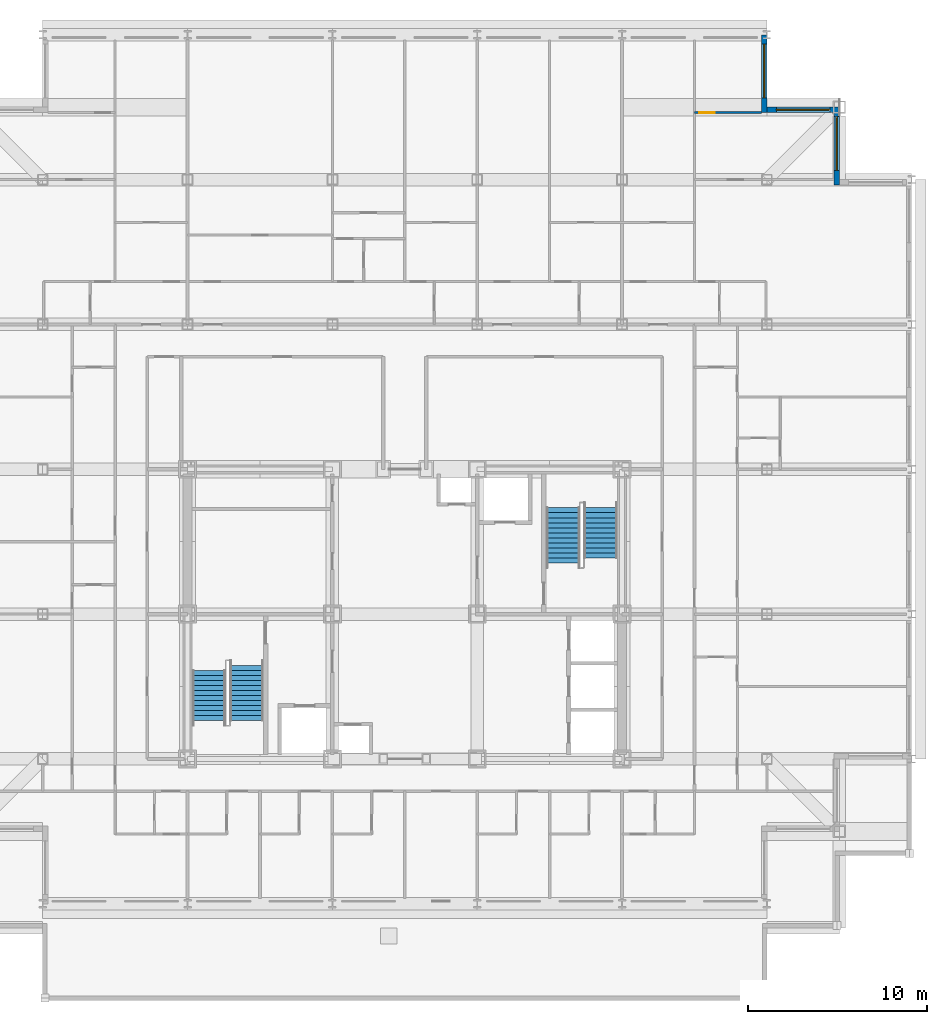
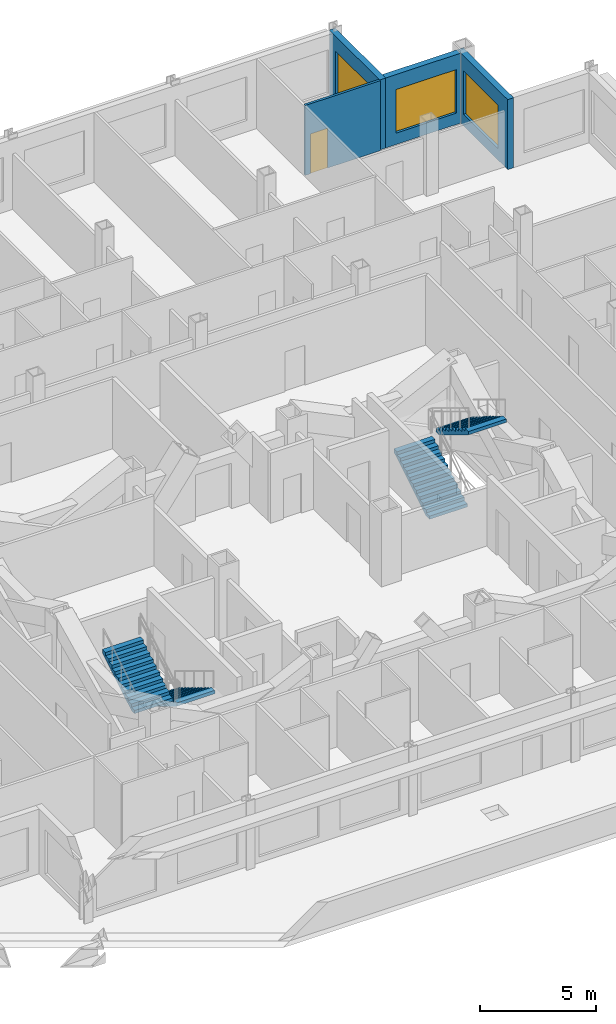
# One storey, part 14 of 15: 4 stair flights, 4 walls, 3 windows, 1 door, 4 openings, 2 elements without a shape of their own.
"""IFC4 building model written with IfcOpenShell, lengths in metres."""

from ifc_helpers import new_model, si_unit, direction, frame, frame_2d, origin, place, context, subcontext, project, spatial, rectangle, extrude, polygons, source, transform, mapped, material, layer, layer_set, type_object, element, fill, aggregate, save


model = new_model("IFC4")

# Units and contexts
model_context = context("Model", 3, precision=1e-05, world=origin(), true_north=direction((0.0, 1.0)))
body_context = subcontext(model_context, "Body", "Model", "MODEL_VIEW")
ifc_project = project(units=[si_unit("LENGTHUNIT", "METRE"), si_unit("AREAUNIT", "SQUARE_METRE"), si_unit("VOLUMEUNIT", "CUBIC_METRE"), si_unit("PLANEANGLEUNIT", "RADIAN"), si_unit("MASSUNIT", "GRAM", prefix="KILO")], contexts=[model_context])

# Site, building, storey
site_placement = place(None, origin())
site = spatial("IfcSite", under=ifc_project, at=site_placement, CompositionType="ELEMENT")
building_placement = place(site_placement, origin())
building = spatial("IfcBuilding", under=site, at=building_placement, Name="Kopane Lantern Tower", CompositionType="ELEMENT")
storey_placement = place(building_placement, frame((0.0, 0.0, 242.39990234375)))
storey = spatial("IfcBuildingStorey", under=building, at=storey_placement, Name="L62", CompositionType="ELEMENT", Elevation=242.39990234375)

# Wall, opening, door
ifc_material_1 = material(Name="Gypsum board on steel studs", Category="steel")
ifc_layer_1 = layer(ifc_material_1, 0.1201171875)
ifc_layer_set_1 = layer_set([ifc_layer_1], Name="APARTMENT INTERNAL WALL 120")
wall_type_1 = type_object("IfcWallType", Name="APARTMENT INTERNAL WALL 120", PredefinedType="PARTITIONING", material=ifc_layer_set_1)
wall_1_placement = place(storey_placement, frame((48.31005859375, 60.449951171875, 0.0), z_axis=(0.0, 0.0, 1.0), x_axis=(-1.0, 0.0, 0.0)))
wall_1 = element("IfcWall", 1, at=wall_1_placement, inside=storey, type_object=wall_type_1, Name="Apartment Internal Wall 120 L62", PredefinedType="PARTITIONING", context=body_context, shape_type="SweptSolid", body=[
    extrude(rectangle(XDim=3.760009765625, YDim=0.1201171875, at=frame_2d((1.8798828125, 0.0))), origin(), (0.0, 0.0, 1.0), 3.690185546875),
])
opening_1_placement = place(wall_1_placement, frame((2.635009765625, 0.0, 0.0)))
opening_1 = element("IfcOpeningElement", 2, at=opening_1_placement, cuts=wall_1, Name="Opening L62-065", PredefinedType="OPENING", context=body_context, shape_type="SweptSolid", body=[
    extrude(rectangle(XDim=0.85009765625, YDim=2.10009765625, at=frame_2d((0.425048828125, 1.050048828125))), frame((0.0, 0.070068359375, 0.0), z_axis=(0.0, -1.0, 0.0), x_axis=(1.0, 0.0, 0.0)), (0.0, 0.0, 1.0), 0.14013671875),
])
ifc_material_2 = material(Name="Timber door set", Category="wood")
door_type = type_object("IfcDoorType", Name="DOOR D4 850x2100", OperationType="SINGLE_SWING_LEFT", PredefinedType="DOOR", material=ifc_material_2)
door_placement = place(opening_1_placement, origin())
door = element("IfcDoor", 3, at=door_placement, inside=storey, type_object=door_type, Name="Door L62-065", OperationType="SINGLE_SWING_RIGHT", OverallHeight=2.10009765625, OverallWidth=0.85009765625, PredefinedType="DOOR", context=body_context, shape_type="SweptSolid", body=[
    extrude(rectangle(XDim=0.85009765625, YDim=2.10009765625, at=frame_2d((0.425048828125, 1.050048828125))), frame((0.0, 0.02490234375, 0.0), z_axis=(0.0, -1.0, 0.0), x_axis=(1.0, 0.0, 0.0)), (0.0, 0.0, 1.0), 0.050048828125),
])
fill(opening_1, door)

# Wall, opening, window
ifc_material_3 = material(Name="Terracotta rainscreen on light steel framing", Category="masonry")
ifc_layer_2 = layer(ifc_material_3, 0.300048828125)
ifc_layer_set_2 = layer_set([ifc_layer_2], Name="EXTERNAL WALL EW1 300 TERRACOTTA")
wall_type_2 = type_object("IfcWallType", Name="EXTERNAL WALL EW1 300 TERRACOTTA", PredefinedType="SOLIDWALL", material=ifc_layer_set_2)
wall_2_placement = place(storey_placement, frame((52.5, 56.39990234375, 0.0), z_axis=(0.0, 0.0, 1.0), x_axis=(0.0, 1.0, 0.0)))
wall_2 = element("IfcWall", 4, at=wall_2_placement, inside=storey, type_object=wall_type_2, Name="External wall E L62", PredefinedType="SOLIDWALL", context=body_context, shape_type="SweptSolid", body=[
    extrude(rectangle(XDim=4.35009765625, YDim=0.300048828125, at=frame_2d((2.175048828125, 0.0))), origin(), (0.0, 0.0, 1.0), 3.690185546875),
])
opening_2_placement = place(wall_2_placement, frame((0.824951171875, 0.0, 0.60009765625)))
opening_2 = element("IfcOpeningElement", 5, at=opening_2_placement, cuts=wall_2, Name="Opening WR300230", PredefinedType="OPENING", context=body_context, shape_type="SweptSolid", body=[
    extrude(rectangle(XDim=3.0, YDim=2.300048828125, at=frame_2d((1.5, 1.14990234375))), frame((0.0, 0.159912109375, 0.0), z_axis=(0.0, -1.0, 0.0), x_axis=(1.0, 0.0, 0.0)), (0.0, 0.0, 1.0), 0.320068359375),
])
ifc_material_4 = material(Name="Aluminium and clear glass", Category="aluminium")
window_type = type_object("IfcWindowType", Name="RIBBON WINDOW WR300230 3000x2300", PartitioningType="SINGLE_PANEL", PredefinedType="WINDOW", material=ifc_material_4)
window_1_placement = place(opening_2_placement, origin())
window_1 = element("IfcWindow", 6, at=window_1_placement, inside=storey, type_object=window_type, Name="Window E L62", OverallHeight=2.300048828125, OverallWidth=3.0, PartitioningType="SINGLE_PANEL", PredefinedType="WINDOW", context=body_context, shape_type="SweptSolid", body=[
    extrude(rectangle(XDim=3.0, YDim=2.300048828125, at=frame_2d((1.5, 1.14990234375))), frame((0.0, 0.030029296875, 0.0), z_axis=(0.0, -1.0, 0.0), x_axis=(1.0, 0.0, 0.0)), (0.0, 0.0, 1.0), 0.06005859375),
])
fill(opening_2, window_1)

wall_3_placement = place(storey_placement, frame((52.35009765625, 60.60009765625, 0.0), z_axis=(0.0, 0.0, 1.0), x_axis=(-1.0, 0.0, 0.0)))
wall_3 = element("IfcWall", 7, at=wall_3_placement, inside=storey, type_object=wall_type_2, Name="External wall N L62", PredefinedType="SOLIDWALL", context=body_context, shape_type="SweptSolid", body=[
    extrude(rectangle(XDim=3.75, YDim=0.300048828125, at=frame_2d((1.875, 0.0))), origin(), (0.0, 0.0, 1.0), 3.690185546875),
])
opening_3_placement = place(wall_3_placement, frame((0.22509765625, 0.0, 0.60009765625)))
opening_3 = element("IfcOpeningElement", 8, at=opening_3_placement, cuts=wall_3, Name="Opening WR300230", PredefinedType="OPENING", context=body_context, shape_type="SweptSolid", body=[
    extrude(rectangle(XDim=3.0, YDim=2.300048828125, at=frame_2d((1.5, 1.14990234375))), frame((0.0, 0.159912109375, 0.0), z_axis=(0.0, -1.0, 0.0), x_axis=(1.0, 0.0, 0.0)), (0.0, 0.0, 1.0), 0.320068359375),
])
window_2_placement = place(opening_3_placement, origin())
window_2 = element("IfcWindow", 9, at=window_2_placement, inside=storey, type_object=window_type, Name="Window N L62", OverallHeight=2.300048828125, OverallWidth=3.0, PartitioningType="SINGLE_PANEL", PredefinedType="WINDOW", context=body_context, shape_type="SweptSolid", body=[
    extrude(rectangle(XDim=3.0, YDim=2.300048828125, at=frame_2d((1.5, 1.14990234375))), frame((0.0, 0.030029296875, 0.0), z_axis=(0.0, -1.0, 0.0), x_axis=(1.0, 0.0, 0.0)), (0.0, 0.0, 1.0), 0.06005859375),
])
fill(opening_3, window_2)

wall_4_placement = place(storey_placement, frame((48.449951171875, 60.449951171875, 0.0), z_axis=(0.0, 0.0, 1.0), x_axis=(0.0, 1.0, 0.0)))
wall_4 = element("IfcWall", 10, at=wall_4_placement, inside=storey, type_object=wall_type_2, Name="External wall E L62", PredefinedType="SOLIDWALL", context=body_context, shape_type="SweptSolid", body=[
    extrude(rectangle(XDim=4.35009765625, YDim=0.300048828125, at=frame_2d((2.175048828125, 0.0))), origin(), (0.0, 0.0, 1.0), 3.690185546875),
])
opening_4_placement = place(wall_4_placement, frame((0.824951171875, 0.0, 0.60009765625)))
opening_4 = element("IfcOpeningElement", 11, at=opening_4_placement, cuts=wall_4, Name="Opening WR300230", PredefinedType="OPENING", context=body_context, shape_type="SweptSolid", body=[
    extrude(rectangle(XDim=3.0, YDim=2.300048828125, at=frame_2d((1.5, 1.14990234375))), frame((0.0, 0.159912109375, 0.0), z_axis=(0.0, -1.0, 0.0), x_axis=(1.0, 0.0, 0.0)), (0.0, 0.0, 1.0), 0.320068359375),
])
window_3_placement = place(opening_4_placement, origin())
window_3 = element("IfcWindow", 12, at=window_3_placement, inside=storey, type_object=window_type, Name="Window E L62", OverallHeight=2.300048828125, OverallWidth=3.0, PartitioningType="SINGLE_PANEL", PredefinedType="WINDOW", context=body_context, shape_type="SweptSolid", body=[
    extrude(rectangle(XDim=3.0, YDim=2.300048828125, at=frame_2d((1.5, 1.14990234375))), frame((0.0, 0.030029296875, 0.0), z_axis=(0.0, -1.0, 0.0), x_axis=(1.0, 0.0, 0.0)), (0.0, 0.0, 1.0), 0.06005859375),
])
fill(opening_4, window_3)

# Stair, stair flight
ifc_material_5 = material(Name="Steel S355JR", Category="steel")
stair_type = type_object("IfcStairType", Name="EXIT STAIR 1900 HALF TURN", PredefinedType="HALF_TURN_STAIR", material=ifc_material_5)
stair_1_placement = place(storey_placement, origin())
stair_1 = element("IfcStair", 13, at=stair_1_placement, inside=storey, type_object=stair_type, Name="Exit stair ST1 L62", PredefinedType="HALF_TURN_STAIR")
ifc_material_6 = material(Name="Steel S355JR", Category="steel")
stair_flight_type = type_object("IfcStairFlightType", Name="STAIR FLIGHT 1900 STEEL", PredefinedType="STRAIGHT", material=ifc_material_6)
shared_shape_1 = source(origin(), body_context, "Body", "Tessellation", [
    polygons([(3.080078125, 0.949951172, 1.865234375), (2.800048828, 0.949951172, 1.865234375), (2.800048828, -0.949951172, 1.865234375), (3.080078125, -0.949951172, 1.865234375), (0.289306641, 0.949951172, 0.0), (3.080078125, 0.949951172, 1.689941406), (3.080078125, -0.949951172, 1.689941406), (0.289306641, -0.949951172, 0.0), (0.0, 0.949951172, 0.0), (0.0, -0.949951172, 0.0), (0.280029297, 0.949951172, 0.169677734), (0.0, 0.949951172, 0.169677734), (0.0, -0.949951172, 0.169677734), (0.280029297, -0.949951172, 0.169677734), (0.280029297, 0.949951172, 0.339111328), (0.280029297, -0.949951172, 0.339111328), (0.560058594, 0.949951172, 0.339111328), (0.560058594, -0.949951172, 0.339111328), (0.560058594, 0.949951172, 0.508789062), (0.560058594, -0.949951172, 0.508789062), (0.840087891, 0.949951172, 0.508789062), (0.840087891, -0.949951172, 0.508789062), (0.840087891, 0.949951172, 0.678222656), (0.840087891, -0.949951172, 0.678222656), (1.120117188, 0.949951172, 0.678222656), (1.120117188, -0.949951172, 0.678222656), (1.120117188, 0.949951172, 0.847900391), (1.120117188, -0.949951172, 0.847900391), (1.399902344, 0.949951172, 0.847900391), (1.399902344, -0.949951172, 0.847900391), (1.399902344, 0.949951172, 1.017333984), (1.399902344, -0.949951172, 1.017333984), (1.679931641, 0.949951172, 1.017333984), (1.679931641, -0.949951172, 1.017333984), (1.679931641, 0.949951172, 1.187011719), (1.679931641, -0.949951172, 1.187011719), (1.959960938, 0.949951172, 1.187011719), (1.959960938, -0.949951172, 1.187011719), (1.959960938, 0.949951172, 1.356445312), (1.959960938, -0.949951172, 1.356445312), (2.239990234, 0.949951172, 1.356445312), (2.239990234, -0.949951172, 1.356445312), (2.239990234, 0.949951172, 1.526123047), (2.239990234, -0.949951172, 1.526123047), (2.520019531, 0.949951172, 1.526123047), (2.520019531, -0.949951172, 1.526123047), (2.520019531, 0.949951172, 1.695556641), (2.520019531, -0.949951172, 1.695556641), (2.800048828, 0.949951172, 1.695556641), (2.800048828, -0.949951172, 1.695556641), (0.0, 0.0, 0.004585885), (0.0, 0.0, 0.009171769), (0.0, 0.0, 0.013757654), (0.0, 0.0, 0.018343539), (0.0, 0.0, 0.022929424), (0.0, 0.0, 0.027515308), (0.0, 0.0, 0.032101193), (0.0, 0.0, 0.036687078), (0.0, 0.0, 0.041272962), (0.0, 0.0, 0.045858847), (0.0, 0.0, 0.050444732), (0.0, 0.0, 0.055030617), (0.0, 0.0, 0.059616501), (0.0, 0.0, 0.064202386), (0.0, 0.0, 0.068788271), (0.0, 0.0, 0.073374155), (0.0, 0.0, 0.07796004), (0.0, 0.0, 0.082545925), (0.0, 0.0, 0.08713181), (0.0, 0.0, 0.091717694), (0.0, 0.0, 0.096303579), (0.0, 0.0, 0.100889464), (0.0, 0.0, 0.105475348), (0.0, 0.0, 0.110061233), (0.0, 0.0, 0.114647118), (0.0, 0.0, 0.119233003), (0.0, 0.0, 0.123818887), (0.0, 0.0, 0.128404772), (0.0, 0.0, 0.132990657), (0.0, 0.0, 0.137576541), (0.0, 0.0, 0.142162426), (0.0, 0.0, 0.146748311), (0.0, 0.0, 0.151334196), (0.0, 0.0, 0.15592008), (0.0, 0.0, 0.160505965), (0.0, 0.0, 0.16509185), (3.080078125, 0.0, 1.694679054), (3.080078125, 0.0, 1.699416702), (3.080078125, 0.0, 1.70415435), (3.080078125, 0.0, 1.708891997), (3.080078125, 0.0, 1.713629645), (3.080078125, 0.0, 1.718367293), (3.080078125, 0.0, 1.723104941), (3.080078125, 0.0, 1.727842589), (3.080078125, 0.0, 1.732580236), (3.080078125, 0.0, 1.737317884), (3.080078125, 0.0, 1.742055532), (3.080078125, 0.0, 1.74679318), (3.080078125, 0.0, 1.751530828), (3.080078125, 0.0, 1.756268476), (3.080078125, 0.0, 1.761006123), (3.080078125, 0.0, 1.765743771), (3.080078125, 0.0, 1.770481419), (3.080078125, 0.0, 1.775219067), (3.080078125, 0.0, 1.779956715), (3.080078125, 0.0, 1.784694362), (3.080078125, 0.0, 1.78943201), (3.080078125, 0.0, 1.794169658), (3.080078125, 0.0, 1.798907306), (3.080078125, 0.0, 1.803644954), (3.080078125, 0.0, 1.808382601), (3.080078125, 0.0, 1.813120249), (3.080078125, 0.0, 1.817857897), (3.080078125, 0.0, 1.822595545), (3.080078125, 0.0, 1.827333193), (3.080078125, 0.0, 1.83207084), (3.080078125, 0.0, 1.836808488), (3.080078125, 0.0, 1.841546136), (3.080078125, 0.0, 1.846283784), (3.080078125, 0.0, 1.851021432), (3.080078125, 0.0, 1.855759079), (3.080078125, 0.0, 1.860496727)], [[[1, 2, 3]], [[1, 3, 4]], [[5, 6, 7]], [[5, 7, 8]], [[9, 5, 8]], [[9, 8, 10]], [[11, 12, 13]], [[11, 13, 14]], [[15, 11, 14]], [[15, 14, 16]], [[17, 15, 16]], [[17, 16, 18]], [[19, 17, 18]], [[19, 18, 20]], [[21, 19, 20]], [[21, 20, 22]], [[23, 21, 22]], [[23, 22, 24]], [[25, 23, 24]], [[25, 24, 26]], [[27, 25, 26]], [[27, 26, 28]], [[29, 27, 28]], [[29, 28, 30]], [[31, 29, 30]], [[31, 30, 32]], [[33, 31, 32]], [[33, 32, 34]], [[35, 33, 34]], [[35, 34, 36]], [[37, 35, 36]], [[37, 36, 38]], [[39, 37, 38]], [[39, 38, 40]], [[41, 39, 40]], [[41, 40, 42]], [[43, 41, 42]], [[43, 42, 44]], [[45, 43, 44]], [[45, 44, 46]], [[47, 45, 46]], [[47, 46, 48]], [[49, 47, 48]], [[49, 48, 50]], [[2, 49, 50]], [[2, 50, 3]], [[49, 1, 6]], [[45, 49, 6]], [[2, 1, 49]], [[41, 45, 6]], [[47, 49, 45]], [[37, 41, 6]], [[43, 45, 41]], [[39, 41, 37]], [[35, 37, 33]], [[31, 33, 29]], [[5, 21, 25]], [[27, 29, 25]], [[17, 21, 5]], [[23, 25, 21]], [[11, 17, 5]], [[19, 21, 17]], [[9, 11, 5]], [[15, 17, 11]], [[12, 11, 9]], [[6, 5, 25]], [[6, 25, 29]], [[6, 29, 33]], [[6, 33, 37]], [[7, 4, 50]], [[7, 50, 46]], [[50, 4, 3]], [[7, 46, 42]], [[46, 50, 48]], [[7, 42, 38]], [[42, 46, 44]], [[38, 42, 40]], [[34, 38, 36]], [[30, 34, 32]], [[26, 22, 8]], [[26, 30, 28]], [[8, 22, 18]], [[22, 26, 24]], [[8, 18, 14]], [[18, 22, 20]], [[8, 14, 10]], [[14, 18, 16]], [[10, 14, 13]], [[26, 8, 7]], [[30, 26, 7]], [[34, 30, 7]], [[38, 34, 7]], [[10, 51, 9]], [[10, 52, 51]], [[9, 51, 52]], [[10, 53, 52]], [[9, 52, 53]], [[10, 54, 53]], [[9, 53, 54]], [[10, 55, 54]], [[9, 54, 55]], [[10, 56, 55]], [[9, 55, 56]], [[10, 57, 56]], [[9, 56, 57]], [[10, 58, 57]], [[9, 57, 58]], [[10, 59, 58]], [[9, 58, 59]], [[10, 60, 59]], [[9, 59, 60]], [[10, 61, 60]], [[9, 60, 61]], [[10, 62, 61]], [[9, 61, 62]], [[10, 63, 62]], [[9, 62, 63]], [[10, 64, 63]], [[9, 63, 64]], [[10, 65, 64]], [[9, 64, 65]], [[10, 66, 65]], [[9, 65, 66]], [[10, 67, 66]], [[9, 66, 67]], [[10, 68, 67]], [[9, 67, 68]], [[10, 69, 68]], [[9, 68, 69]], [[10, 70, 69]], [[9, 69, 70]], [[10, 71, 70]], [[9, 70, 71]], [[10, 72, 71]], [[9, 71, 72]], [[10, 73, 72]], [[9, 72, 73]], [[10, 74, 73]], [[9, 73, 74]], [[10, 75, 74]], [[9, 74, 75]], [[10, 76, 75]], [[9, 75, 76]], [[10, 77, 76]], [[9, 76, 77]], [[10, 78, 77]], [[9, 77, 78]], [[10, 79, 78]], [[9, 78, 79]], [[10, 80, 79]], [[9, 79, 80]], [[10, 81, 80]], [[9, 80, 81]], [[10, 82, 81]], [[9, 81, 82]], [[10, 83, 82]], [[9, 82, 83]], [[10, 84, 83]], [[9, 83, 84]], [[10, 85, 84]], [[9, 84, 85]], [[10, 86, 85]], [[9, 85, 86]], [[10, 13, 86]], [[86, 13, 12]], [[9, 86, 12]], [[7, 6, 87]], [[7, 87, 88]], [[6, 88, 87]], [[7, 88, 89]], [[6, 89, 88]], [[7, 89, 90]], [[6, 90, 89]], [[7, 90, 91]], [[6, 91, 90]], [[7, 91, 92]], [[6, 92, 91]], [[7, 92, 93]], [[6, 93, 92]], [[7, 93, 94]], [[6, 94, 93]], [[7, 94, 95]], [[6, 95, 94]], [[7, 95, 96]], [[6, 96, 95]], [[7, 96, 97]], [[6, 97, 96]], [[7, 97, 98]], [[6, 98, 97]], [[7, 98, 99]], [[6, 99, 98]], [[7, 99, 100]], [[6, 100, 99]], [[7, 100, 101]], [[6, 101, 100]], [[7, 101, 102]], [[6, 102, 101]], [[7, 102, 103]], [[6, 103, 102]], [[7, 103, 104]], [[6, 104, 103]], [[7, 104, 105]], [[6, 105, 104]], [[7, 105, 106]], [[6, 106, 105]], [[7, 106, 107]], [[6, 107, 106]], [[7, 107, 108]], [[6, 108, 107]], [[7, 108, 109]], [[6, 109, 108]], [[7, 109, 110]], [[6, 110, 109]], [[7, 110, 111]], [[6, 111, 110]], [[7, 111, 112]], [[6, 112, 111]], [[7, 112, 113]], [[6, 113, 112]], [[7, 113, 114]], [[6, 114, 113]], [[7, 114, 115]], [[6, 115, 114]], [[7, 115, 116]], [[6, 116, 115]], [[7, 116, 117]], [[6, 117, 116]], [[7, 117, 118]], [[6, 118, 117]], [[7, 118, 119]], [[6, 119, 118]], [[7, 119, 120]], [[6, 120, 119]], [[7, 120, 121]], [[6, 121, 120]], [[7, 121, 122]], [[6, 122, 121]], [[7, 122, 4]], [[122, 1, 4]], [[6, 1, 122]]], closed=True),
])
stair_flight_1_placement = place(storey_placement, frame((19.5, 29.530029296875, 0.0), z_axis=(0.0, 0.0, 1.0), x_axis=(0.0, -1.0, 0.0)))
stair_flight_1 = element("IfcStairFlight", 14, at=stair_flight_1_placement, type_object=stair_flight_type, Name="ST1 flight 1", NumberOfRisers=12, NumberOfTreads=11, PredefinedType="STRAIGHT", RiserHeight=0.169565217, TreadLength=0.28, context=body_context, shape_type="MappedRepresentation", body=[
    mapped(shared_shape_1, transform((0.0, 0.0, 0.0))),
])

stair_2_placement = place(storey_placement, origin())
stair_2 = element("IfcStair", 15, at=stair_2_placement, inside=storey, type_object=stair_type, Name="Exit stair ST2 L62", PredefinedType="HALF_TURN_STAIR")
stair_flight_2_placement = place(storey_placement, frame((37.199951171875, 35.27001953125, 0.0), z_axis=(0.0, 0.0, 1.0), x_axis=(0.0, 1.0, 0.0)))
stair_flight_2 = element("IfcStairFlight", 16, at=stair_flight_2_placement, type_object=stair_flight_type, Name="ST2 flight 1", NumberOfRisers=12, NumberOfTreads=11, PredefinedType="STRAIGHT", RiserHeight=0.169565217, TreadLength=0.28, context=body_context, shape_type="MappedRepresentation", body=[
    mapped(shared_shape_1, transform((0.0, 0.0, 0.0))),
])

# Stair flight
shared_shape_2 = source(origin(), body_context, "Body", "Tessellation", [
    polygons([(2.800048828, 0.949951172, 1.695556641), (2.520019531, 0.949951172, 1.695556641), (2.520019531, -0.949951172, 1.695556641), (2.800048828, -0.949951172, 1.695556641), (0.289306641, 0.949951172, 0.0), (2.800048828, 0.949951172, 1.520507812), (2.800048828, -0.949951172, 1.520507812), (0.289306641, -0.949951172, 0.0), (0.0, 0.949951172, 0.0), (0.0, -0.949951172, 0.0), (0.280029297, 0.949951172, 0.169677734), (0.0, 0.949951172, 0.169677734), (0.0, -0.949951172, 0.169677734), (0.280029297, -0.949951172, 0.169677734), (0.280029297, 0.949951172, 0.339111328), (0.280029297, -0.949951172, 0.339111328), (0.560058594, 0.949951172, 0.339111328), (0.560058594, -0.949951172, 0.339111328), (0.560058594, 0.949951172, 0.508789062), (0.560058594, -0.949951172, 0.508789062), (0.840087891, 0.949951172, 0.508789062), (0.840087891, -0.949951172, 0.508789062), (0.840087891, 0.949951172, 0.678222656), (0.840087891, -0.949951172, 0.678222656), (1.120117188, 0.949951172, 0.678222656), (1.120117188, -0.949951172, 0.678222656), (1.120117188, 0.949951172, 0.847900391), (1.120117188, -0.949951172, 0.847900391), (1.399902344, 0.949951172, 0.847900391), (1.399902344, -0.949951172, 0.847900391), (1.399902344, 0.949951172, 1.017333984), (1.399902344, -0.949951172, 1.017333984), (1.679931641, 0.949951172, 1.017333984), (1.679931641, -0.949951172, 1.017333984), (1.679931641, 0.949951172, 1.187011719), (1.679931641, -0.949951172, 1.187011719), (1.959960938, 0.949951172, 1.187011719), (1.959960938, -0.949951172, 1.187011719), (1.959960938, 0.949951172, 1.356445312), (1.959960938, -0.949951172, 1.356445312), (2.239990234, 0.949951172, 1.356445312), (2.239990234, -0.949951172, 1.356445312), (2.239990234, 0.949951172, 1.526123047), (2.239990234, -0.949951172, 1.526123047), (2.520019531, 0.949951172, 1.526123047), (2.520019531, -0.949951172, 1.526123047), (0.0, 0.0, 0.004585885), (0.0, 0.0, 0.009171769), (0.0, 0.0, 0.013757654), (0.0, 0.0, 0.018343539), (0.0, 0.0, 0.022929424), (0.0, 0.0, 0.027515308), (0.0, 0.0, 0.032101193), (0.0, 0.0, 0.036687078), (0.0, 0.0, 0.041272962), (0.0, 0.0, 0.045858847), (0.0, 0.0, 0.050444732), (0.0, 0.0, 0.055030617), (0.0, 0.0, 0.059616501), (0.0, 0.0, 0.064202386), (0.0, 0.0, 0.068788271), (0.0, 0.0, 0.073374155), (0.0, 0.0, 0.07796004), (0.0, 0.0, 0.082545925), (0.0, 0.0, 0.08713181), (0.0, 0.0, 0.091717694), (0.0, 0.0, 0.096303579), (0.0, 0.0, 0.100889464), (0.0, 0.0, 0.105475348), (0.0, 0.0, 0.110061233), (0.0, 0.0, 0.114647118), (0.0, 0.0, 0.119233003), (0.0, 0.0, 0.123818887), (0.0, 0.0, 0.128404772), (0.0, 0.0, 0.132990657), (0.0, 0.0, 0.137576541), (0.0, 0.0, 0.142162426), (0.0, 0.0, 0.146748311), (0.0, 0.0, 0.151334196), (0.0, 0.0, 0.15592008), (0.0, 0.0, 0.160505965), (0.0, 0.0, 0.16509185), (2.800048828, 0.0, 1.525238862), (2.800048828, 0.0, 1.529969911), (2.800048828, 0.0, 1.534700961), (2.800048828, 0.0, 1.53943201), (2.800048828, 0.0, 1.54416306), (2.800048828, 0.0, 1.548894109), (2.800048828, 0.0, 1.553625158), (2.800048828, 0.0, 1.558356208), (2.800048828, 0.0, 1.563087257), (2.800048828, 0.0, 1.567818307), (2.800048828, 0.0, 1.572549356), (2.800048828, 0.0, 1.577280405), (2.800048828, 0.0, 1.582011455), (2.800048828, 0.0, 1.586742504), (2.800048828, 0.0, 1.591473554), (2.800048828, 0.0, 1.596204603), (2.800048828, 0.0, 1.600935652), (2.800048828, 0.0, 1.605666702), (2.800048828, 0.0, 1.610397751), (2.800048828, 0.0, 1.615128801), (2.800048828, 0.0, 1.61985985), (2.800048828, 0.0, 1.624590899), (2.800048828, 0.0, 1.629321949), (2.800048828, 0.0, 1.634052998), (2.800048828, 0.0, 1.638784048), (2.800048828, 0.0, 1.643515097), (2.800048828, 0.0, 1.648246147), (2.800048828, 0.0, 1.652977196), (2.800048828, 0.0, 1.657708245), (2.800048828, 0.0, 1.662439295), (2.800048828, 0.0, 1.667170344), (2.800048828, 0.0, 1.671901394), (2.800048828, 0.0, 1.676632443), (2.800048828, 0.0, 1.681363492), (2.800048828, 0.0, 1.686094542), (2.800048828, 0.0, 1.690825591)], [[[1, 2, 3]], [[1, 3, 4]], [[5, 6, 7]], [[5, 7, 8]], [[9, 5, 8]], [[9, 8, 10]], [[11, 12, 13]], [[11, 13, 14]], [[15, 11, 14]], [[15, 14, 16]], [[17, 15, 16]], [[17, 16, 18]], [[19, 17, 18]], [[19, 18, 20]], [[21, 19, 20]], [[21, 20, 22]], [[23, 21, 22]], [[23, 22, 24]], [[25, 23, 24]], [[25, 24, 26]], [[27, 25, 26]], [[27, 26, 28]], [[29, 27, 28]], [[29, 28, 30]], [[31, 29, 30]], [[31, 30, 32]], [[33, 31, 32]], [[33, 32, 34]], [[35, 33, 34]], [[35, 34, 36]], [[37, 35, 36]], [[37, 36, 38]], [[39, 37, 38]], [[39, 38, 40]], [[41, 39, 40]], [[41, 40, 42]], [[43, 41, 42]], [[43, 42, 44]], [[45, 43, 44]], [[45, 44, 46]], [[2, 45, 46]], [[2, 46, 3]], [[45, 1, 6]], [[41, 45, 6]], [[2, 1, 45]], [[37, 41, 6]], [[43, 45, 41]], [[39, 41, 37]], [[35, 37, 33]], [[31, 33, 29]], [[5, 21, 25]], [[27, 29, 25]], [[17, 21, 5]], [[23, 25, 21]], [[11, 17, 5]], [[19, 21, 17]], [[9, 11, 5]], [[15, 17, 11]], [[12, 11, 9]], [[6, 5, 25]], [[6, 25, 29]], [[6, 29, 33]], [[6, 33, 37]], [[7, 4, 46]], [[7, 46, 42]], [[46, 4, 3]], [[7, 42, 38]], [[42, 46, 44]], [[38, 42, 40]], [[34, 38, 36]], [[30, 34, 32]], [[26, 22, 8]], [[26, 30, 28]], [[8, 22, 18]], [[22, 26, 24]], [[8, 18, 14]], [[18, 22, 20]], [[8, 14, 10]], [[14, 18, 16]], [[10, 14, 13]], [[26, 8, 7]], [[30, 26, 7]], [[34, 30, 7]], [[38, 34, 7]], [[10, 47, 9]], [[10, 48, 47]], [[9, 47, 48]], [[10, 49, 48]], [[9, 48, 49]], [[10, 50, 49]], [[9, 49, 50]], [[10, 51, 50]], [[9, 50, 51]], [[10, 52, 51]], [[9, 51, 52]], [[10, 53, 52]], [[9, 52, 53]], [[10, 54, 53]], [[9, 53, 54]], [[10, 55, 54]], [[9, 54, 55]], [[10, 56, 55]], [[9, 55, 56]], [[10, 57, 56]], [[9, 56, 57]], [[10, 58, 57]], [[9, 57, 58]], [[10, 59, 58]], [[9, 58, 59]], [[10, 60, 59]], [[9, 59, 60]], [[10, 61, 60]], [[9, 60, 61]], [[10, 62, 61]], [[9, 61, 62]], [[10, 63, 62]], [[9, 62, 63]], [[10, 64, 63]], [[9, 63, 64]], [[10, 65, 64]], [[9, 64, 65]], [[10, 66, 65]], [[9, 65, 66]], [[10, 67, 66]], [[9, 66, 67]], [[10, 68, 67]], [[9, 67, 68]], [[10, 69, 68]], [[9, 68, 69]], [[10, 70, 69]], [[9, 69, 70]], [[10, 71, 70]], [[9, 70, 71]], [[10, 72, 71]], [[9, 71, 72]], [[10, 73, 72]], [[9, 72, 73]], [[10, 74, 73]], [[9, 73, 74]], [[10, 75, 74]], [[9, 74, 75]], [[10, 76, 75]], [[9, 75, 76]], [[10, 77, 76]], [[9, 76, 77]], [[10, 78, 77]], [[9, 77, 78]], [[10, 79, 78]], [[9, 78, 79]], [[10, 80, 79]], [[9, 79, 80]], [[10, 81, 80]], [[9, 80, 81]], [[10, 82, 81]], [[9, 81, 82]], [[10, 13, 82]], [[82, 13, 12]], [[9, 82, 12]], [[7, 6, 83]], [[7, 83, 84]], [[6, 84, 83]], [[7, 84, 85]], [[6, 85, 84]], [[7, 85, 86]], [[6, 86, 85]], [[7, 86, 87]], [[6, 87, 86]], [[7, 87, 88]], [[6, 88, 87]], [[7, 88, 89]], [[6, 89, 88]], [[7, 89, 90]], [[6, 90, 89]], [[7, 90, 91]], [[6, 91, 90]], [[7, 91, 92]], [[6, 92, 91]], [[7, 92, 93]], [[6, 93, 92]], [[7, 93, 94]], [[6, 94, 93]], [[7, 94, 95]], [[6, 95, 94]], [[7, 95, 96]], [[6, 96, 95]], [[7, 96, 97]], [[6, 97, 96]], [[7, 97, 98]], [[6, 98, 97]], [[7, 98, 99]], [[6, 99, 98]], [[7, 99, 100]], [[6, 100, 99]], [[7, 100, 101]], [[6, 101, 100]], [[7, 101, 102]], [[6, 102, 101]], [[7, 102, 103]], [[6, 103, 102]], [[7, 103, 104]], [[6, 104, 103]], [[7, 104, 105]], [[6, 105, 104]], [[7, 105, 106]], [[6, 106, 105]], [[7, 106, 107]], [[6, 107, 106]], [[7, 107, 108]], [[6, 108, 107]], [[7, 108, 109]], [[6, 109, 108]], [[7, 109, 110]], [[6, 110, 109]], [[7, 110, 111]], [[6, 111, 110]], [[7, 111, 112]], [[6, 112, 111]], [[7, 112, 113]], [[6, 113, 112]], [[7, 113, 114]], [[6, 114, 113]], [[7, 114, 115]], [[6, 115, 114]], [[7, 115, 116]], [[6, 116, 115]], [[7, 116, 117]], [[6, 117, 116]], [[7, 117, 118]], [[6, 118, 117]], [[7, 118, 4]], [[118, 1, 4]], [[6, 1, 118]]], closed=True),
])
stair_flight_3_placement = place(storey_placement, frame((17.39990234375, 26.449951171875, 2.034912109375), z_axis=(0.0, 0.0, 1.0), x_axis=(0.0, 1.0, 0.0)))
stair_flight_3 = element("IfcStairFlight", 17, at=stair_flight_3_placement, type_object=stair_flight_type, Name="ST1 flight 2", NumberOfRisers=11, NumberOfTreads=10, PredefinedType="STRAIGHT", RiserHeight=0.169565217, TreadLength=0.28, context=body_context, shape_type="MappedRepresentation", body=[
    mapped(shared_shape_2, transform((0.0, 0.0, 0.0))),
])

aggregate(stair_1, [stair_flight_1, stair_flight_3])

stair_flight_4_placement = place(storey_placement, frame((39.300048828125, 38.35009765625, 2.034912109375), z_axis=(0.0, 0.0, 1.0), x_axis=(0.0, -1.0, 0.0)))
stair_flight_4 = element("IfcStairFlight", 18, at=stair_flight_4_placement, type_object=stair_flight_type, Name="ST2 flight 2", NumberOfRisers=11, NumberOfTreads=10, PredefinedType="STRAIGHT", RiserHeight=0.169565217, TreadLength=0.28, context=body_context, shape_type="MappedRepresentation", body=[
    mapped(shared_shape_2, transform((0.0, 0.0, 0.0))),
])

aggregate(stair_2, [stair_flight_2, stair_flight_4])

save(model, "model.ifc")
